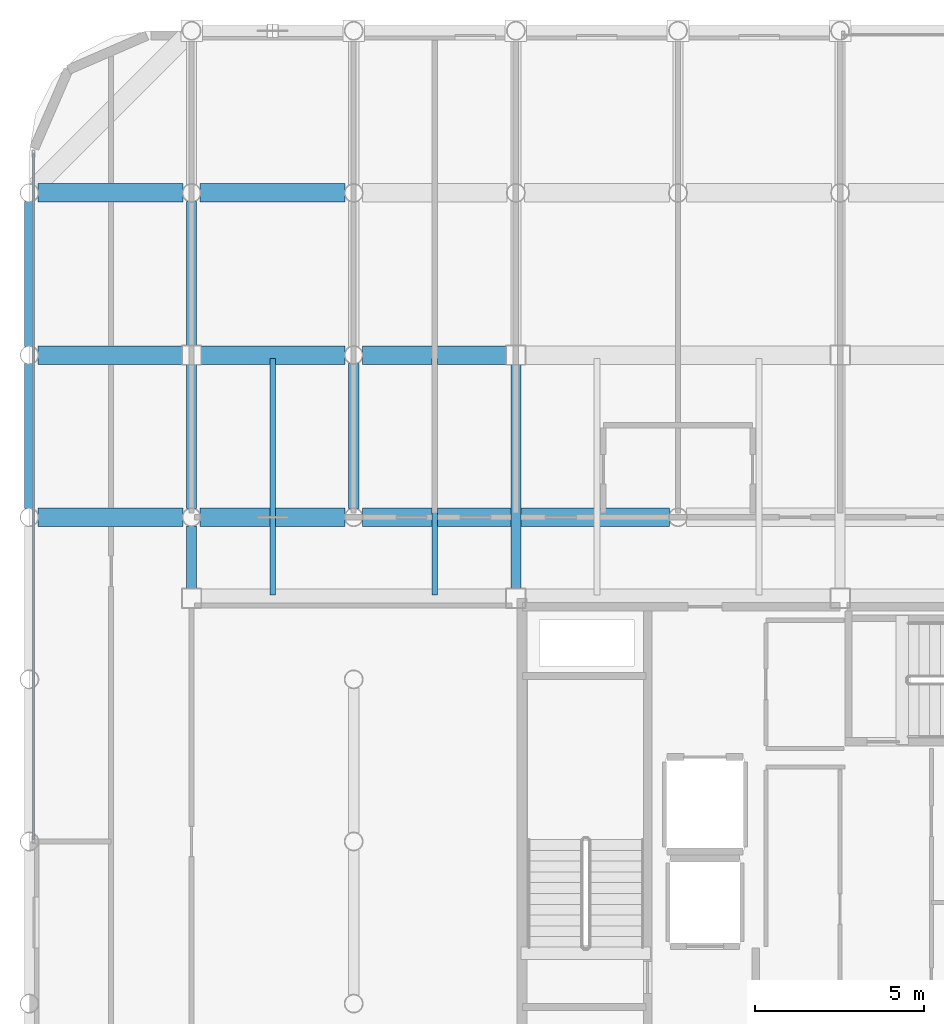
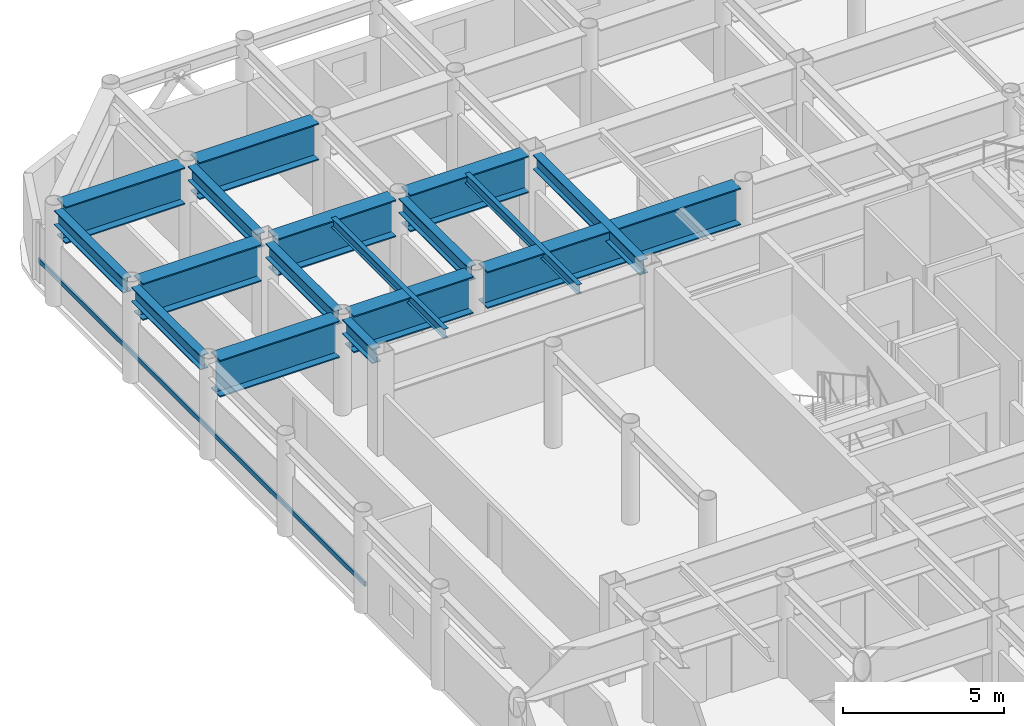
# One storey, part 11 of 26: 17 beams, 1 member, 1 element without a shape of its own.
"""IFC4 building model written with IfcOpenShell, lengths in metres."""

import ifcopenshell
import ifcopenshell.guid

model = None  # the IFC model being written
_history = None  # IfcOwnerHistory: only IFC2X3 demands one
_inside = {}  # id of a spatial element -> (the spatial element, [elements in it])
_under = {}  # id of a project, library or spatial element -> (it, [spatial elements below it])
_declared = {}  # id of a project -> (the project, [libraries it declares])
_typed = {}  # id of a type object -> (the type object, [elements of that type])
_made_of = {}  # id of a material, layer set ... -> (it, [elements and type objects made of it])


def new_model(schema):
    """Start an empty IFC model of exactly this schema.

    Asked for "IFC4X3", IfcOpenShell would pick the latest addendum, in which some entities
    have other attributes; the version numbers below select the first issue.
    IFC2X3 requires an IfcOwnerHistory on every rooted entity: one is made here for all.
    """
    global model, _history
    if schema == "IFC4X3":
        model = ifcopenshell.file(schema_version=(4, 3, 0, 0))
    else:
        model = ifcopenshell.file(schema=schema)
    _inside.clear()
    _under.clear()
    _declared.clear()
    _typed.clear()
    _made_of.clear()
    _history = None
    if model.schema == "IFC2X3":
        org = make("IfcOrganization", Name="unknown")
        user = make(
            "IfcPersonAndOrganization",
            ThePerson=make("IfcPerson", FamilyName="unknown"),
            TheOrganization=org,
        )
        app = make(
            "IfcApplication",
            ApplicationDeveloper=org,
            Version="unknown",
            ApplicationFullName="unknown",
            ApplicationIdentifier="unknown",
        )
        _history = make(
            "IfcOwnerHistory",
            OwningUser=user,
            OwningApplication=app,
            ChangeAction="ADDED",
            CreationDate=0,
        )
    return model


def make(cls, **values):
    """One entity of the class cls with the attributes given. An attribute that is None is left unset."""
    return model.create_entity(
        cls, **{name: value for name, value in values.items() if value is not None}
    )


def rooted(cls, **values):
    """An entity with a GlobalId (a new one), such as an element, a storey or a relation."""
    return make(cls, GlobalId=ifcopenshell.guid.new(), OwnerHistory=_history, **values)


def si_unit(unit_type, name, prefix=None):
    """IfcSIUnit, for example si_unit("LENGTHUNIT", "METRE", prefix="MILLI")."""
    return make("IfcSIUnit", UnitType=unit_type, Prefix=prefix, Name=name)


def assignment(units):
    """IfcUnitAssignment: the units of a project."""
    return None if units is None else make("IfcUnitAssignment", Units=units)


def point(xyz):
    """IfcCartesianPoint."""
    return None if xyz is None else make("IfcCartesianPoint", Coordinates=xyz)


def direction(xyz):
    """IfcDirection."""
    return None if xyz is None else make("IfcDirection", DirectionRatios=xyz)


def frame(location, z_axis=None, x_axis=None):
    """IfcAxis2Placement3D, a coordinate frame: its origin and axes. An axis left out is left unset."""
    return make(
        "IfcAxis2Placement3D",
        Location=point(location),
        Axis=direction(z_axis),
        RefDirection=direction(x_axis),
    )


def frame_2d(location, x_axis=None):
    """IfcAxis2Placement2D, a coordinate frame in the plane: its origin and x axis."""
    return make(
        "IfcAxis2Placement2D", Location=point(location), RefDirection=direction(x_axis)
    )


def origin():
    """The frame at (0, 0, 0) with its axes left unset."""
    return frame((0.0, 0.0, 0.0))


def origin_2d():
    """The frame at (0, 0) in the plane with its x axis left unset."""
    return frame_2d((0.0, 0.0))


def place(relative_to, where):
    """IfcLocalPlacement: puts the frame where relative to a parent placement (None: the world)."""
    return make(
        "IfcLocalPlacement", PlacementRelTo=relative_to, RelativePlacement=where
    )


def context(
    kind, dimensions, precision=None, world=None, true_north=None, identifier=None
):
    """IfcGeometricRepresentationContext, for example the 3D "Model" context."""
    return make(
        "IfcGeometricRepresentationContext",
        ContextIdentifier=identifier,
        ContextType=kind,
        CoordinateSpaceDimension=dimensions,
        Precision=precision,
        WorldCoordinateSystem=world,
        TrueNorth=true_north,
    )


def subcontext(parent, identifier, kind, view, scale=None):
    """IfcGeometricRepresentationSubContext, for example "Body" below "Model"."""
    return make(
        "IfcGeometricRepresentationSubContext",
        ContextIdentifier=identifier,
        ContextType=kind,
        ParentContext=parent,
        TargetScale=scale,
        TargetView=view,
    )


def project(units=None, contexts=None):
    """IfcProject with its units and contexts."""
    return rooted(
        "IfcProject",
        Name="project",
        RepresentationContexts=contexts,
        UnitsInContext=assignment(units),
    )


def spatial(cls, under=None, at=None, **own):
    """A site, building, storey or space (cls), placed at a placement, below another one or the project."""
    s = rooted(cls, ObjectPlacement=at, **own)
    if under is not None:
        _under.setdefault(under.id(), (under, []))[1].append(s)
    return s


def profile(cls, at=None, kind="AREA", **sizes):
    """A parametric profile (cls). Its sizes go by their IFC names, for example OverallWidth=200.0."""
    return make(cls, ProfileType=kind, Position=at, **sizes)


def hollow_rectangle(**sizes):
    """IfcRectangleHollowProfileDef."""
    return profile("IfcRectangleHollowProfileDef", **sizes)


def i_section(**sizes):
    """IfcIShapeProfileDef."""
    return profile("IfcIShapeProfileDef", **sizes)


def extrude(swept, where, along, depth):
    """IfcExtrudedAreaSolid: the profile swept, set in the frame where, extruded along a direction by depth."""
    return make(
        "IfcExtrudedAreaSolid",
        SweptArea=swept,
        Position=where,
        ExtrudedDirection=direction(along),
        Depth=depth,
    )


def shape(context_of_items, identifier, shape_type, items):
    """IfcShapeRepresentation: the items that make up one representation, for example the "Body"."""
    return make(
        "IfcShapeRepresentation",
        ContextOfItems=context_of_items,
        RepresentationIdentifier=identifier,
        RepresentationType=shape_type,
        Items=items,
    )


def material(Name=None, Category=None):
    """IfcMaterial."""
    return make("IfcMaterial", Name=Name, Category=Category)


def layer(
    of_material, thickness, ventilated=None, Name=None, Category=None, Priority=None
):
    """IfcMaterialLayer: one layer of a wall or slab, of a material (None: an air gap)."""
    return make(
        "IfcMaterialLayer",
        Material=of_material,
        LayerThickness=thickness,
        IsVentilated=ventilated,
        Name=Name,
        Category=Category,
        Priority=Priority,
    )


def layer_set(layers, Name=None):
    """IfcMaterialLayerSet."""
    return make("IfcMaterialLayerSet", MaterialLayers=layers, LayerSetName=Name)


def material_profile(
    of_material, cross_section, Name=None, Category=None, Priority=None
):
    """IfcMaterialProfile: a cross section and its material."""
    return make(
        "IfcMaterialProfile",
        Name=Name,
        Material=of_material,
        Profile=cross_section,
        Priority=Priority,
        Category=Category,
    )


def profile_set(profiles, Name=None, composite=None):
    """IfcMaterialProfileSet."""
    return make(
        "IfcMaterialProfileSet",
        Name=Name,
        MaterialProfiles=profiles,
        CompositeProfile=composite,
    )


def made_of(thing, what):
    """Note that an element or type object is made of a material, layer set ...; save() writes the relation."""
    if what is not None:
        _made_of.setdefault(what.id(), (what, []))[1].append(thing)
    return thing


def type_object(cls, material=None, **own):
    """A type object (cls), such as IfcWallType, which elements share."""
    return made_of(rooted(cls, **own), material)


def element(
    cls,
    number,
    at=None,
    inside=None,
    cuts=None,
    type_object=None,
    material=None,
    context=None,
    identifier="Body",
    shape_type=None,
    held_by="IfcProductDefinitionShape",
    body=None,
    shapes=None,
    **own,
):
    """One element of the class cls, such as IfcWall. Its Tag is "e" and its number.

    at: its placement. inside: the storey or other place that contains it. cuts: it is an
    opening in that element (IfcRelVoidsElement). A single representation is given by context,
    identifier, shape_type and body (its items); several are given by shapes. held_by: the class
    of the entity that holds the representations. save() writes the other relations.
    """
    e = rooted(cls, Tag="e%d" % number, ObjectPlacement=at, **own)
    if body is not None:
        shapes = [shape(context, identifier, shape_type, body)]
    if shapes is not None:
        e.Representation = make(held_by, Representations=shapes)
    if inside is not None:
        _inside.setdefault(inside.id(), (inside, []))[1].append(e)
    if cuts is not None:
        rooted(
            "IfcRelVoidsElement", RelatingBuildingElement=cuts, RelatedOpeningElement=e
        )
    if type_object is not None:
        _typed.setdefault(type_object.id(), (type_object, []))[1].append(e)
    return made_of(e, material)


def aggregate(whole, parts):
    """IfcRelAggregates: a whole, such as a stair, and the parts it consists of."""
    return rooted("IfcRelAggregates", RelatingObject=whole, RelatedObjects=parts)


def save(model, path):
    """Write the relations noted so far, then the file.

    IfcRelAggregates (storeys below a building ...), IfcRelContainedInSpatialStructure (elements
    in a storey), IfcRelDefinesByType, IfcRelAssociatesMaterial and IfcRelDeclares: one each for
    every whole, place, type object, material and project.
    """
    for whole, parts in _under.values():
        aggregate(whole, parts)
    for where, things in _inside.values():
        rooted(
            "IfcRelContainedInSpatialStructure",
            RelatedElements=things,
            RelatingStructure=where,
        )
    for kind, things in _typed.values():
        rooted("IfcRelDefinesByType", RelatedObjects=things, RelatingType=kind)
    for what, things in _made_of.values():
        rooted("IfcRelAssociatesMaterial", RelatedObjects=things, RelatingMaterial=what)
    for by, libraries in _declared.values():
        rooted("IfcRelDeclares", RelatingContext=by, RelatedDefinitions=libraries)
    model.write(path)


model = new_model("IFC4")

# Units and contexts
model_context = context("Model", 3, precision=1e-05, world=origin(), true_north=direction((0.0, 1.0)))
body_context = subcontext(model_context, "Body", "Model", "MODEL_VIEW")
ifc_project = project(units=[si_unit("LENGTHUNIT", "METRE"), si_unit("AREAUNIT", "SQUARE_METRE"), si_unit("VOLUMEUNIT", "CUBIC_METRE"), si_unit("PLANEANGLEUNIT", "RADIAN"), si_unit("MASSUNIT", "GRAM", prefix="KILO")], contexts=[model_context])

# Site, building, storey
site_placement = place(None, origin())
site = spatial("IfcSite", under=ifc_project, at=site_placement, CompositionType="ELEMENT")
building_placement = place(site_placement, origin())
building = spatial("IfcBuilding", under=site, at=building_placement, Name="Kallvorn Hotel Tower", CompositionType="ELEMENT")
storey_placement = place(building_placement, frame((0.0, 0.0, 222.300048828125)))
storey = spatial("IfcBuildingStorey", under=building, at=storey_placement, Name="L55", CompositionType="ELEMENT", Elevation=222.300048828125)

# Beams
ifc_material_1 = material(Name="Structural steel S355JR", Category="steel")
ifc_material_profile_1 = material_profile(ifc_material_1, i_section(OverallWidth=0.300048828125, OverallDepth=0.550048828125, WebThickness=0.014892578125, FlangeThickness=0.029052734375, at=origin_2d()), Name="HE 550 B")
ifc_profile_set_1 = profile_set([ifc_material_profile_1], Name="Structural steel S355JR")
beam_type_1 = type_object("IfcBeamType", Name="BM_HE550B", PredefinedType="SPANDREL", material=ifc_profile_set_1)
for number, where, z_axis, x_axis, name in (
    (1, (-28.800048828125, 9.8544921875, 3.39501953125), (0.0, 1.0, 0.0), (-1.0, 0.0, 0.0), "L56 Primary Y-Girder 79"),
    (2, (-28.800048828125, 14.654541015625, 3.39501953125), (0.0, 1.0, 0.0), (-1.0, 0.0, 0.0), "L56 Primary Y-Girder 80"),
):
    element("IfcBeam", number, at=place(storey_placement, frame(where, z_axis=z_axis, x_axis=x_axis)), inside=storey, type_object=beam_type_1, Name=name, PredefinedType="SPANDREL", context=body_context, shape_type="SweptSolid", body=[
        extrude(i_section(OverallWidth=0.300048828125, OverallDepth=0.550048828125, WebThickness=0.014892578125, FlangeThickness=0.029052734375, at=origin_2d()), origin(), (0.0, 0.0, 1.0), 4.291015625),
    ])
beam_1_placement = place(storey_placement, frame((-24.0, 7.47509765625, 3.39501953125), z_axis=(0.0, 1.0, 0.0), x_axis=(-1.0, 0.0, 0.0)))
element("IfcBeam", 3, at=beam_1_placement, inside=storey, type_object=beam_type_1, Name="L56 Primary Y-Girder 84", PredefinedType="SPANDREL", context=body_context, shape_type="SweptSolid", body=[
    extrude(i_section(OverallWidth=0.300048828125, OverallDepth=0.550048828125, WebThickness=0.014892578125, FlangeThickness=0.029052734375, at=origin_2d()), origin(), (0.0, 0.0, 1.0), 1.870361328125),
])
for number, where, z_axis, x_axis, name in (
    (4, (-24.0, 9.8544921875, 3.39501953125), (0.0, 1.0, 0.0), (-1.0, 0.0, 0.0), "L56 Primary Y-Girder 85"),
    (5, (-24.0, 14.675048828125, 3.39501953125), (0.0, 1.0, 0.0), (-1.0, 0.0, 0.0), "L56 Primary Y-Girder 86"),
):
    element("IfcBeam", number, at=place(storey_placement, frame(where, z_axis=z_axis, x_axis=x_axis)), inside=storey, type_object=beam_type_1, Name=name, PredefinedType="SPANDREL", context=body_context, shape_type="SweptSolid", body=[
        extrude(i_section(OverallWidth=0.300048828125, OverallDepth=0.550048828125, WebThickness=0.014892578125, FlangeThickness=0.029052734375, at=origin_2d()), origin(), (0.0, 0.0, 1.0), 4.2705078125),
    ])
beam_2_placement = place(storey_placement, frame((-19.199951171875, 9.8544921875, 3.39501953125), z_axis=(0.0, 1.0, 0.0), x_axis=(-1.0, 0.0, 0.0)))
element("IfcBeam", 6, at=beam_2_placement, inside=storey, type_object=beam_type_1, Name="L56 Primary Y-Girder 94", PredefinedType="SPANDREL", context=body_context, shape_type="SweptSolid", body=[
    extrude(i_section(OverallWidth=0.300048828125, OverallDepth=0.550048828125, WebThickness=0.014892578125, FlangeThickness=0.029052734375, at=origin_2d()), origin(), (0.0, 0.0, 1.0), 4.291015625),
])
beam_3_placement = place(storey_placement, frame((-14.39990234375, 7.47509765625, 3.39501953125), z_axis=(0.0, 1.0, 0.0), x_axis=(-1.0, 0.0, 0.0)))
element("IfcBeam", 7, at=beam_3_placement, inside=storey, type_object=beam_type_1, Name="L56 Primary Y-Girder 99", PredefinedType="SPANDREL", context=body_context, shape_type="SweptSolid", body=[
    extrude(i_section(OverallWidth=0.300048828125, OverallDepth=0.550048828125, WebThickness=0.014892578125, FlangeThickness=0.029052734375, at=origin_2d()), origin(), (0.0, 0.0, 1.0), 6.64990234375),
])
ifc_material_2 = material(Name="Structural steel S355JR", Category="steel")
ifc_material_profile_2 = material_profile(ifc_material_2, i_section(OverallWidth=0.169921875, OverallDepth=0.360107421875, WebThickness=0.008056640625, FlangeThickness=0.0126953125, at=origin_2d()), Name="IPE 360")
ifc_profile_set_2 = profile_set([ifc_material_profile_2], Name="Structural steel S355JR")
beam_type_2 = type_object("IfcBeamType", Name="BM_IPE360", PredefinedType="JOIST", material=ifc_profile_set_2)
for number, where, z_axis, x_axis, name in (
    (8, (-21.60009765625, 7.300048828125, 3.489990234375), (0.0, 1.0, 0.0), (-1.0, 0.0, 0.0), "L56 Secondary Composite Joist 193"),
    (9, (-16.800048828125, 7.300048828125, 3.489990234375), (0.0, 1.0, 0.0), (-1.0, 0.0, 0.0), "L56 Secondary Composite Joist 195"),
):
    element("IfcBeam", number, at=place(storey_placement, frame(where, z_axis=z_axis, x_axis=x_axis)), inside=storey, type_object=beam_type_2, Name=name, PredefinedType="JOIST", context=body_context, shape_type="SweptSolid", body=[
        extrude(i_section(OverallWidth=0.169921875, OverallDepth=0.360107421875, WebThickness=0.008056640625, FlangeThickness=0.0126953125, at=origin_2d()), origin(), (0.0, 0.0, 1.0), 7.0),
    ])
ifc_material_3 = material(Name="Structural steel S355JR", Category="steel")
ifc_material_profile_3 = material_profile(ifc_material_3, i_section(OverallWidth=0.550048828125, OverallDepth=1.39990234375, WebThickness=0.02490234375, FlangeThickness=0.044921875, at=origin_2d()), Name="PG 1400x550x25x45")
ifc_profile_set_3 = profile_set([ifc_material_profile_3], Name="Structural steel S355JR")
beam_type_3 = type_object("IfcBeamType", Name="BM_PG_1400", PredefinedType="BEAM", material=ifc_profile_set_3)
for number, where, z_axis, x_axis, name in (
    (10, (-28.54541015625, 9.60009765625, 2.969970703125), (1.0, 0.0, 0.0), (0.0, 1.0, 0.0), "L56 Primary X-Girder 41"),
    (11, (-23.74560546875, 9.60009765625, 2.969970703125), (1.0, 0.0, 0.0), (0.0, 1.0, 0.0), "L56 Primary X-Girder 42"),
):
    element("IfcBeam", number, at=place(storey_placement, frame(where, z_axis=z_axis, x_axis=x_axis)), inside=storey, type_object=beam_type_3, Name=name, PredefinedType="BEAM", context=body_context, shape_type="SweptSolid", body=[
        extrude(i_section(OverallWidth=0.550048828125, OverallDepth=1.39990234375, WebThickness=0.02490234375, FlangeThickness=0.044921875, at=origin_2d()), origin(), (0.0, 0.0, 1.0), 4.291015625),
    ])
beam_4_placement = place(storey_placement, frame((-18.945556640625, 9.60009765625, 2.969970703125), z_axis=(1.0, 0.0, 0.0), x_axis=(0.0, 1.0, 0.0)))
element("IfcBeam", 12, at=beam_4_placement, inside=storey, type_object=beam_type_3, Name="L56 Primary X-Girder 43", PredefinedType="BEAM", context=body_context, shape_type="SweptSolid", body=[
    extrude(i_section(OverallWidth=0.550048828125, OverallDepth=1.39990234375, WebThickness=0.02490234375, FlangeThickness=0.044921875, at=origin_2d()), origin(), (0.0, 0.0, 1.0), 9.091064453125),
])
for number, where, z_axis, x_axis, name in (
    (13, (-28.54541015625, 14.39990234375, 2.969970703125), (1.0, 0.0, 0.0), (0.0, 1.0, 0.0), "L56 Primary X-Girder 50"),
    (14, (-23.72509765625, 14.39990234375, 2.969970703125), (1.0, 0.0, 0.0), (0.0, 1.0, 0.0), "L56 Primary X-Girder 51"),
    (15, (-18.945556640625, 14.39990234375, 2.969970703125), (1.0, 0.0, 0.0), (0.0, 1.0, 0.0), "L56 Primary X-Girder 52"),
):
    element("IfcBeam", number, at=place(storey_placement, frame(where, z_axis=z_axis, x_axis=x_axis)), inside=storey, type_object=beam_type_3, Name=name, PredefinedType="BEAM", context=body_context, shape_type="SweptSolid", body=[
        extrude(i_section(OverallWidth=0.550048828125, OverallDepth=1.39990234375, WebThickness=0.02490234375, FlangeThickness=0.044921875, at=origin_2d()), origin(), (0.0, 0.0, 1.0), 4.2705078125),
    ])
for number, where, z_axis, x_axis, name in (
    (16, (-28.54541015625, 19.199951171875, 2.969970703125), (1.0, 0.0, 0.0), (0.0, 1.0, 0.0), "L56 Primary X-Girder 60"),
    (17, (-23.74560546875, 19.199951171875, 2.969970703125), (1.0, 0.0, 0.0), (0.0, 1.0, 0.0), "L56 Primary X-Girder 61"),
):
    element("IfcBeam", number, at=place(storey_placement, frame(where, z_axis=z_axis, x_axis=x_axis)), inside=storey, type_object=beam_type_3, Name=name, PredefinedType="BEAM", context=body_context, shape_type="SweptSolid", body=[
        extrude(i_section(OverallWidth=0.550048828125, OverallDepth=1.39990234375, WebThickness=0.02490234375, FlangeThickness=0.044921875, at=origin_2d()), origin(), (0.0, 0.0, 1.0), 4.291015625),
    ])

# Curtain wall, member
ifc_material_4 = material(Name="Thermally broken black-anodised aluminium AA 6063-T6", Category="aluminium")
ifc_layer = layer(ifc_material_4, 0.22998046875)
ifc_layer_set = layer_set([ifc_layer], Name="CW_SYS_5_HOTEL_HIGH")
curtain_wall_type = type_object("IfcCurtainWallType", Name="CW_SYS_5_HOTEL_HIGH", PredefinedType="USERDEFINED", material=ifc_layer_set)
curtain_wall_placement = place(storey_placement, origin())
curtain_wall = element("IfcCurtainWall", 18, at=curtain_wall_placement, inside=storey, type_object=curtain_wall_type, Name="L55 Dark-Glass Curtain Wall CW-L55-WN", ObjectType="UNITISED CURTAIN WALL", PredefinedType="USERDEFINED")
ifc_material_5 = material(Name="Thermally broken black-anodised aluminium AA 6063-T6", Category="aluminium")
ifc_material_profile_4 = material_profile(ifc_material_5, hollow_rectangle(XDim=0.070068359375, YDim=0.179931640625, WallThickness=0.00390625, at=origin_2d()), Name="TRN 180x70")
ifc_profile_set_4 = profile_set([ifc_material_profile_4], Name="Thermally broken black-anodised aluminium AA 6063-T6")
member_type = type_object("IfcMemberType", Name="CW_TRANSOM_180x70", PredefinedType="USERDEFINED", material=ifc_profile_set_4)
member_placement = place(storey_placement, frame((-28.679931640625, 0.06005859375, 0.849853515625), z_axis=(0.0, 1.0, 0.0), x_axis=(-1.0, 0.0, 0.0)))
member = element("IfcMember", 19, at=member_placement, type_object=member_type, Name="CW-L55-WN Transom 00M", ObjectType="TRANSOM", PredefinedType="USERDEFINED", context=body_context, shape_type="SweptSolid", body=[
    extrude(hollow_rectangle(XDim=0.070068359375, YDim=0.179931640625, WallThickness=0.00390625, at=origin_2d()), origin(), (0.0, 0.0, 1.0), 20.300048828125),
])
aggregate(curtain_wall, [member])

save(model, "model.ifc")
